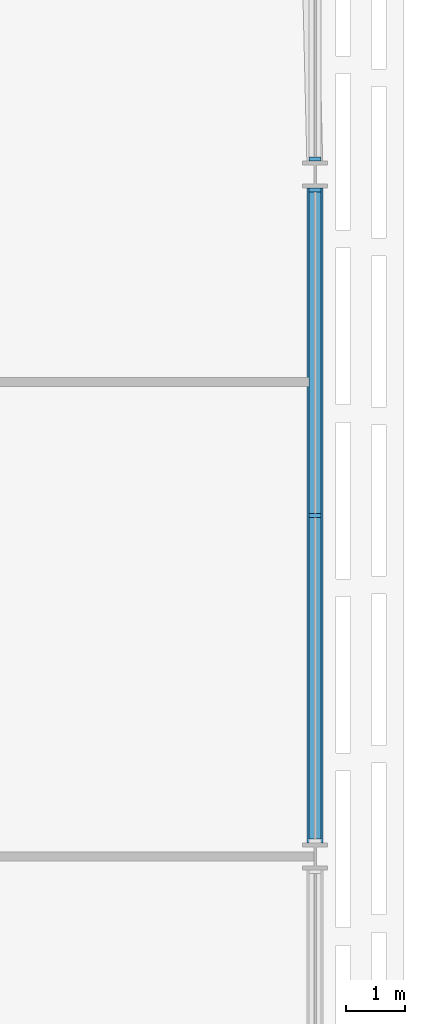
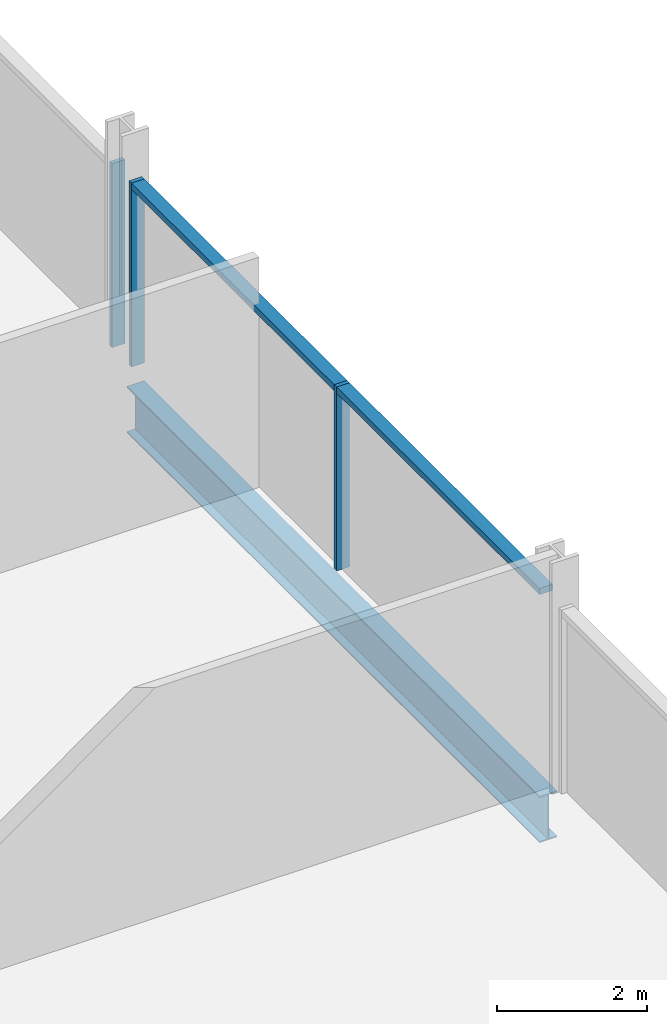
# One storey, part 9 of 29: 5 members, 1 beam, 2 elements without a shape of their own.
"""IFC4 building model written with IfcOpenShell, lengths in metres."""

from ifc_helpers import new_model, si_unit, direction, frame, origin, origin_2d, place, context, subcontext, project, spatial, rectangle, i_section, extrude, material, material_profile, profile_set, type_object, element, aggregate, save


model = new_model("IFC4")

# Units and contexts
model_context = context("Model", 3, precision=1e-05, world=origin(), true_north=direction((0.0, 1.0)))
body_context = subcontext(model_context, "Body", "Model", "MODEL_VIEW")
ifc_project = project(units=[si_unit("LENGTHUNIT", "METRE"), si_unit("AREAUNIT", "SQUARE_METRE"), si_unit("VOLUMEUNIT", "CUBIC_METRE"), si_unit("PLANEANGLEUNIT", "RADIAN"), si_unit("MASSUNIT", "GRAM", prefix="KILO")], contexts=[model_context])

# Site, building, storey
site_placement = place(None, origin())
site = spatial("IfcSite", under=ifc_project, at=site_placement, CompositionType="ELEMENT")
building_placement = place(site_placement, origin())
building = spatial("IfcBuilding", under=site, at=building_placement, Name="Mahtab Terrace Research Tower", CompositionType="ELEMENT")
storey_placement = place(building_placement, frame((0.0, 0.0, 105.300048828125)))
storey = spatial("IfcBuildingStorey", under=building, at=storey_placement, Name="L24", CompositionType="ELEMENT", Elevation=105.300048828125)

# Curtain wall, members
ifc_material_1 = material(Name="Laboratory ribbon curtain wall")
curtain_wall_type = type_object("IfcCurtainWallType", Name="Laboratory ribbon curtain wall", PredefinedType="NOTDEFINED", material=ifc_material_1)
curtain_wall_1_placement = place(storey_placement, origin())
curtain_wall_1 = element("IfcCurtainWall", 1, at=curtain_wall_1_placement, inside=storey, type_object=curtain_wall_type, Name="EN.L24.18.37", PredefinedType="NOTDEFINED")
ifc_material_2 = material(Name="Natural anodised aluminium", Category="aluminium")
ifc_material_profile_1 = material_profile(ifc_material_2, rectangle(XDim=0.199951171875, YDim=0.06494140625, at=origin_2d()), Name="MULLION 65x200")
ifc_profile_set_1 = profile_set([ifc_material_profile_1], Name="Natural anodised aluminium")
member_type_1 = type_object("IfcMemberType", Name="Laboratory ribbon curtain wall mullion", PredefinedType="MULLION", material=ifc_profile_set_1)
member_1_placement = place(storey_placement, frame((54.0, 5.75, 0.0), z_axis=(0.0, 0.0, 1.0), x_axis=(-1.0, 0.0, 0.0)))
member_1 = element("IfcMember", 2, at=member_1_placement, type_object=member_type_1, Name="CWL-3 mullion 2", PredefinedType="MULLION", context=body_context, shape_type="SweptSolid", body=[
    extrude(rectangle(XDim=0.199951171875, YDim=0.06494140625, at=origin_2d()), origin(), (0.0, 0.0, 1.0), 3.0029296875),
])
member_2_placement = place(storey_placement, frame((54.0, 11.239501953125, 0.0), z_axis=(0.0, 0.0, 1.0), x_axis=(-1.0, 0.0, 0.0)))
member_2 = element("IfcMember", 3, at=member_2_placement, type_object=member_type_1, Name="CWL-3 mullion 3", PredefinedType="MULLION", context=body_context, shape_type="SweptSolid", body=[
    extrude(rectangle(XDim=0.199951171875, YDim=0.06494140625, at=origin_2d()), origin(), (0.0, 0.0, 1.0), 3.0029296875),
])

# Curtain wall, member
curtain_wall_2_placement = place(storey_placement, origin())
curtain_wall_2 = element("IfcCurtainWall", 4, at=curtain_wall_2_placement, inside=storey, type_object=curtain_wall_type, Name="EN.L24.18.38", PredefinedType="NOTDEFINED")
member_3_placement = place(storey_placement, frame((54.0, 11.760498046875, 0.0), z_axis=(0.0, 0.0, 1.0), x_axis=(-1.0, 0.0, 0.0)))
member_3 = element("IfcMember", 5, at=member_3_placement, type_object=member_type_1, Name="CWL-3 mullion 1", PredefinedType="MULLION", context=body_context, shape_type="SweptSolid", body=[
    extrude(rectangle(XDim=0.199951171875, YDim=0.06494140625, at=origin_2d()), origin(), (0.0, 0.0, 1.0), 3.0029296875),
])
aggregate(curtain_wall_2, [member_3])

# Member
ifc_material_profile_2 = material_profile(ifc_material_2, rectangle(XDim=0.199951171875, YDim=0.10009765625, at=origin_2d()), Name="TRANSOM 100x200")
ifc_profile_set_2 = profile_set([ifc_material_profile_2], Name="Natural anodised aluminium")
member_type_2 = type_object("IfcMemberType", Name="Laboratory ribbon curtain wall transom", PredefinedType="USERDEFINED", material=ifc_profile_set_2)
member_4_placement = place(storey_placement, frame((54.0, 0.29296875, 2.953125), z_axis=(0.0, 1.0, 0.0), x_axis=(-1.0, 0.0, 0.0)))
member_4 = element("IfcMember", 6, at=member_4_placement, type_object=member_type_2, Name="CWL-3 transom 1", ObjectType="TRANSOM", PredefinedType="USERDEFINED", context=body_context, shape_type="SweptSolid", body=[
    extrude(rectangle(XDim=0.199951171875, YDim=0.10009765625, at=origin_2d()), origin(), (0.0, 0.0, 1.0), 5.424560546875),
])

member_5_placement = place(storey_placement, frame((54.0, 5.782470703125, 2.953125), z_axis=(0.0, 1.0, 0.0), x_axis=(-1.0, 0.0, 0.0)))
member_5 = element("IfcMember", 7, at=member_5_placement, type_object=member_type_2, Name="CWL-3 transom 2", ObjectType="TRANSOM", PredefinedType="USERDEFINED", context=body_context, shape_type="SweptSolid", body=[
    extrude(rectangle(XDim=0.199951171875, YDim=0.10009765625, at=origin_2d()), origin(), (0.0, 0.0, 1.0), 5.424560546875),
])

aggregate(curtain_wall_1, [member_1, member_2, member_4, member_5])

# Beam
ifc_material_3 = material(Name="Steel ASTM A992 Gr 50", Category="steel")
ifc_material_profile_3 = material_profile(ifc_material_3, i_section(OverallWidth=0.2666015625, OverallDepth=0.7568359375, WebThickness=0.013916015625, FlangeThickness=0.019287109375, at=origin_2d()), Name="W30X108")
ifc_profile_set_3 = profile_set([ifc_material_profile_3], Name="Steel ASTM A992 Gr 50")
beam_type = type_object("IfcBeamType", Name="W30x108 beam BS30108", PredefinedType="BEAM", material=ifc_profile_set_3)
beam_placement = place(storey_placement, frame((54.0, 0.227294921875, -0.718505859375), z_axis=(0.0, 1.0, 0.0), x_axis=(-1.0, 0.0, 0.0)))
element("IfcBeam", 8, at=beam_placement, inside=storey, type_object=beam_type, Name="Spandrel beam L24 21", PredefinedType="BEAM", context=body_context, shape_type="SweptSolid", body=[
    extrude(i_section(OverallWidth=0.2666015625, OverallDepth=0.7568359375, WebThickness=0.013916015625, FlangeThickness=0.019287109375, at=origin_2d()), origin(), (0.0, 0.0, 1.0), 11.04541015625),
])

save(model, "model.ifc")
